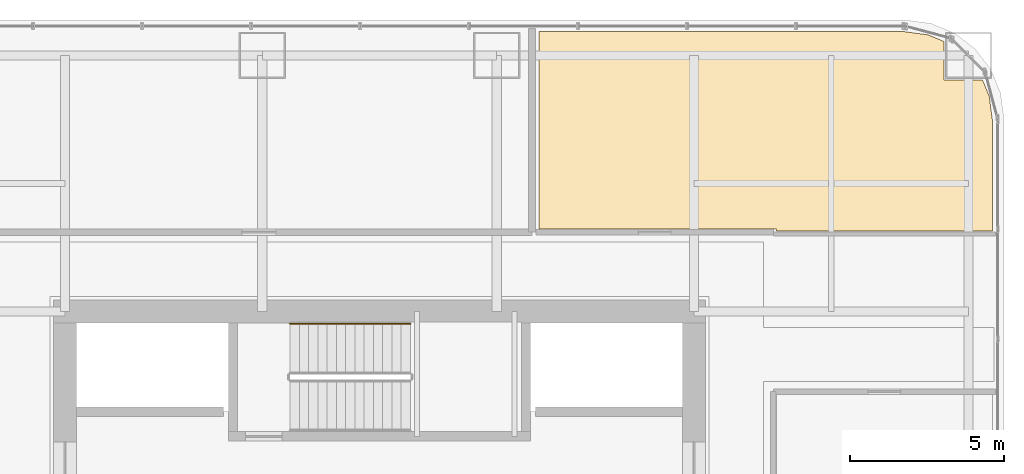
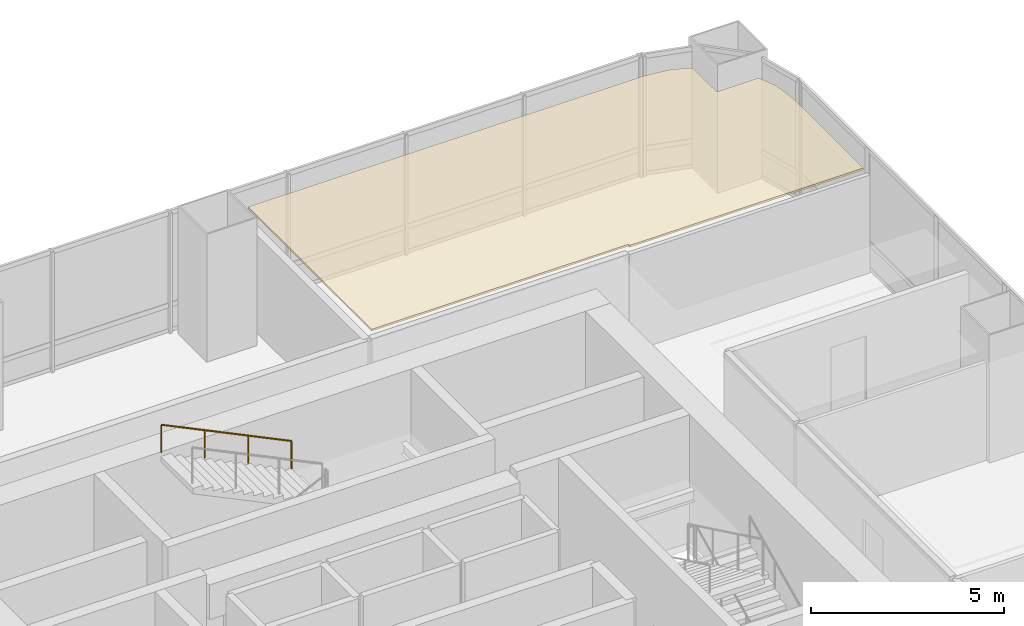
# One storey, part 35 of 35: 1 covering, 1 railing.
"""IFC4 building model written with IfcOpenShell, lengths in metres."""

from ifc_helpers import new_model, si_unit, direction, frame, origin, origin_2d, place, context, subcontext, project, spatial, polyline, circle, outline, extrude, material, layer, layer_set, type_object, element, save


model = new_model("IFC4")

# Units and contexts
model_context = context("Model", 3, precision=1e-05, world=origin(), true_north=direction((0.0, 1.0)))
body_context = subcontext(model_context, "Body", "Model", "MODEL_VIEW")
ifc_project = project(units=[si_unit("LENGTHUNIT", "METRE"), si_unit("AREAUNIT", "SQUARE_METRE"), si_unit("VOLUMEUNIT", "CUBIC_METRE"), si_unit("PLANEANGLEUNIT", "RADIAN"), si_unit("MASSUNIT", "GRAM", prefix="KILO")], contexts=[model_context])

# Site, building, storey
site_placement = place(None, origin())
site = spatial("IfcSite", under=ifc_project, at=site_placement, CompositionType="ELEMENT")
building_placement = place(site_placement, origin())
building = spatial("IfcBuilding", under=site, at=building_placement, Name="Punatoya Terracotta Tower", CompositionType="ELEMENT")
storey_placement = place(building_placement, frame((0.0, 0.0, 52.5)))
storey = spatial("IfcBuildingStorey", under=building, at=storey_placement, Name="L11", CompositionType="ELEMENT", Elevation=52.5)

# Covering
ifc_material_1 = material(Name="Acoustic Mineral Fibre Ceiling")
ifc_layer = layer(ifc_material_1, 0.06005859375)
ifc_layer_set = layer_set([ifc_layer], Name="Acoustic Mineral Fibre Ceiling")
covering_type = type_object("IfcCoveringType", Name="COV-CEIL-60", PredefinedType="CEILING", material=ifc_layer_set)
covering_placement = place(storey_placement, frame((0.0, 0.0, 3.199951171875)))
element("IfcCovering", 1, at=covering_placement, inside=storey, type_object=covering_type, Name="L11 Open-Plan Hydrology Modelling Laboratory Acoustic Ceiling", PredefinedType="CEILING", context=body_context, shape_type="SweptSolid", body=[
    extrude(outline(polyline([(12.8701171875, 11.81005859375), (19.8701171875, 11.81005859375), (19.8701171875, 15.425048828125), (19.770751953125, 16.178955078125), (19.554931640625, 16.699951171875), (18.300048828125, 16.699951171875), (18.300048828125, 17.955078125), (17.779052734375, 18.1708984375), (17.025146484375, 18.27001953125), (5.16796875, 18.27001953125), (5.16796875, 11.8701171875), (12.8701171875, 11.8701171875), (12.8701171875, 11.81005859375)])), origin(), (0.0, 0.0, 1.0), 0.06005859375),
])

# Railing
ifc_material_2 = material(Name="Steel S355", Category="steel")
railing_type = type_object("IfcRailingType", Name="RLG-HND-900", PredefinedType="HANDRAIL", material=ifc_material_2)
railing_placement = place(storey_placement, frame((1.0, 8.800048828125, 2.169677734375)))
element("IfcRailing", 2, at=railing_placement, inside=storey, type_object=railing_type, Name="L11 ST-3 stair handrail 2", PredefinedType="HANDRAIL", context=body_context, shape_type="SweptSolid", body=[
    extrude(circle(Radius=0.02392578125, at=origin_2d()), frame((0.0, 0.0, 0.8759765625), z_axis=(-0.900763166376, 0.0, 0.434310623978), x_axis=(0.0, -1.0, 0.0)), (0.0, 0.0, 1.0), 4.32958984375),
    extrude(circle(Radius=0.02099609375, at=origin_2d()), origin(), (0.0, 0.0, 1.0), 0.851806640625),
    extrude(circle(Radius=0.02099609375, at=origin_2d()), frame((-1.300048828125, 0.0, 0.626708984375)), (0.0, 0.0, 1.0), 0.851806640625),
    extrude(circle(Radius=0.02099609375, at=origin_2d()), frame((-2.599853515625, 0.0, 1.253662109375)), (0.0, 0.0, 1.0), 0.851806640625),
    extrude(circle(Radius=0.02099609375, at=origin_2d()), frame((-3.89990234375, 0.0, 1.88037109375)), (0.0, 0.0, 1.0), 0.851806640625),
])

save(model, "model.ifc")
